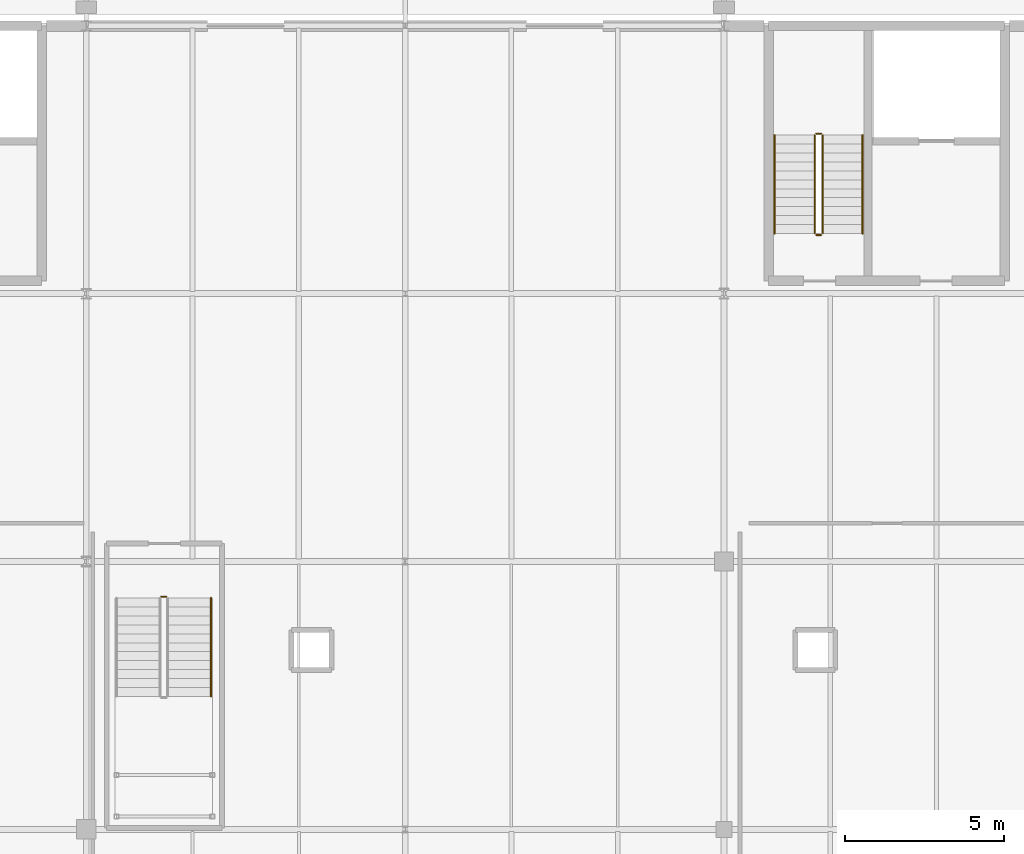
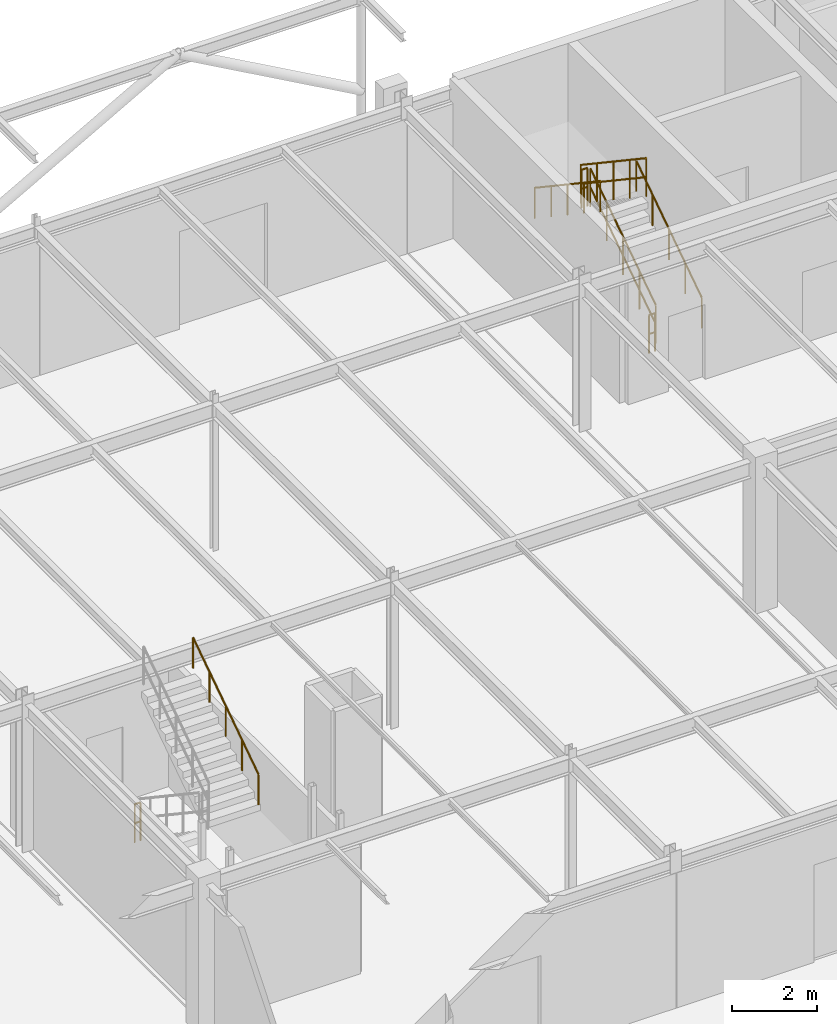
# One storey, part 111 of 119: 8 railings.
"""IFC4 building model written with IfcOpenShell, lengths in metres."""

from ifc_helpers import new_model, si_unit, derived_unit, direction, frame, origin, origin_2d_with_axis, place, context, subcontext, project, spatial, circle, extrude, material, layer, layer_set, type_object, element, save


model = new_model("IFC4")

# Units and contexts
model_context = context("Model", 3, precision=1e-05, world=origin(), true_north=direction((0.0, 1.0)))
body_context = subcontext(model_context, "Body", "Model", "MODEL_VIEW")
ifc_project = project(units=[si_unit("LENGTHUNIT", "METRE"), si_unit("AREAUNIT", "SQUARE_METRE"), si_unit("VOLUMEUNIT", "CUBIC_METRE"), si_unit("PLANEANGLEUNIT", "RADIAN"), si_unit("MASSUNIT", "GRAM", prefix="KILO"), derived_unit("THERMALTRANSMITTANCEUNIT", [(si_unit("POWERUNIT", "WATT"), 1), (si_unit("LENGTHUNIT", "METRE"), -2), (si_unit("THERMODYNAMICTEMPERATUREUNIT", "KELVIN"), -1)])], contexts=[model_context])

# Site, building, storey
site_placement = place(None, origin())
site = spatial("IfcSite", under=ifc_project, at=site_placement, CompositionType="ELEMENT")
building_placement = place(site_placement, origin())
building = spatial("IfcBuilding", under=site, at=building_placement, Name="Cinnabar Yard Market Hall", CompositionType="ELEMENT")
storey_placement = place(building_placement, origin())
storey = spatial("IfcBuildingStorey", under=building, at=storey_placement, Name="L00", CompositionType="ELEMENT", Elevation=0.0)

# Railings
ifc_material_1 = material(Name="Laminated glass and bronze handrail", Category="glass")
ifc_layer_1 = layer(ifc_material_1, 0.070068359375)
ifc_layer_set_1 = layer_set([ifc_layer_1], Name="Laminated glass and bronze handrail")
railing_type_1 = type_object("IfcRailingType", Name="RL-G01", PredefinedType="BALUSTRADE", material=ifc_layer_set_1)
railing_1_placement = place(storey_placement, frame((108.35009765625, 120.10009765625, 0.0)))
element("IfcRailing", 1, at=railing_1_placement, inside=storey, type_object=railing_type_1, Name="L00 ST-F4 stair guard 4", PredefinedType="BALUSTRADE", context=body_context, shape_type="SweptSolid", body=[
    extrude(circle(Radius=0.02392578125, at=origin_2d_with_axis()), frame((0.0, 0.0, 1.09619140625), z_axis=(1.0, 0.0, 0.0), x_axis=(0.0, 1.0, 0.0)), (0.0, 0.0, 1.0), 0.159912109375),
    extrude(circle(Radius=0.02392578125, at=origin_2d_with_axis()), frame((0.0, 0.0, 0.550048828125), z_axis=(1.0, 0.0, 0.0), x_axis=(0.0, 1.0, 0.0)), (0.0, 0.0, 1.0), 0.159912109375),
    extrude(circle(Radius=0.02099609375, at=origin_2d_with_axis()), origin(), (0.0, 0.0, 1.0), 1.072021484375),
    extrude(circle(Radius=0.02099609375, at=origin_2d_with_axis()), frame((0.159912109375, 0.0, 0.0)), (0.0, 0.0, 1.0), 1.072021484375),
])
ifc_material_2 = material(Name="Galvanised steel Grade 300 (300 MPa) guardrail", Category="steel")
ifc_layer_2 = layer(ifc_material_2, 0.06005859375)
ifc_layer_set_2 = layer_set([ifc_layer_2], Name="Galvanised steel Grade 300 (300 MPa) guardrail")
railing_type_2 = type_object("IfcRailingType", Name="RL-G03", PredefinedType="GUARDRAIL", material=ifc_layer_set_2)
railing_2_placement = place(storey_placement, frame((129.10009765625, 131.489990234375, 0.1875)))
element("IfcRailing", 2, at=railing_2_placement, inside=storey, type_object=railing_type_2, Name="L00 ST-C6 stair guard 1", PredefinedType="GUARDRAIL", context=body_context, shape_type="SweptSolid", body=[
    extrude(circle(Radius=0.02392578125, at=origin_2d_with_axis()), frame((0.0, 0.0, 1.09619140625), z_axis=(0.0, 0.830913701846, 0.55640131208), x_axis=(-1.0, 0.0, 0.0)), (0.0, 0.0, 1.0), 3.706787109375),
    extrude(circle(Radius=0.02392578125, at=origin_2d_with_axis()), frame((0.0, 0.0, 0.550048828125), z_axis=(0.0, 0.830913701846, 0.55640131208), x_axis=(-1.0, 0.0, 0.0)), (0.0, 0.0, 1.0), 3.706787109375),
    extrude(circle(Radius=0.02099609375, at=origin_2d_with_axis()), origin(), (0.0, 0.0, 1.0), 1.072021484375),
    extrude(circle(Radius=0.02099609375, at=origin_2d_with_axis()), frame((0.0, 0.77001953125, 0.515625)), (0.0, 0.0, 1.0), 1.072021484375),
    extrude(circle(Radius=0.02099609375, at=origin_2d_with_axis()), frame((0.0, 1.5400390625, 1.03125)), (0.0, 0.0, 1.0), 1.072021484375),
    extrude(circle(Radius=0.02099609375, at=origin_2d_with_axis()), frame((0.0, 2.31005859375, 1.546875)), (0.0, 0.0, 1.0), 1.072021484375),
    extrude(circle(Radius=0.02099609375, at=origin_2d_with_axis()), frame((0.0, 3.080078125, 2.0625)), (0.0, 0.0, 1.0), 1.072021484375),
])
railing_3_placement = place(storey_placement, frame((129.050048828125, 134.6201171875, 2.25)))
element("IfcRailing", 3, at=railing_3_placement, inside=storey, type_object=railing_type_2, Name="L00 ST-C6 stair guard 2", PredefinedType="GUARDRAIL", context=body_context, shape_type="SweptSolid", body=[
    extrude(circle(Radius=0.02392578125, at=origin_2d_with_axis()), frame((0.0, 0.0, 1.09619140625), z_axis=(-1.0, 0.0, 0.0), x_axis=(0.0, -1.0, 0.0)), (0.0, 0.0, 1.0), 0.16015625),
    extrude(circle(Radius=0.02392578125, at=origin_2d_with_axis()), frame((0.0, 0.0, 0.550048828125), z_axis=(-1.0, 0.0, 0.0), x_axis=(0.0, -1.0, 0.0)), (0.0, 0.0, 1.0), 0.16015625),
    extrude(circle(Radius=0.02099609375, at=origin_2d_with_axis()), origin(), (0.0, 0.0, 1.0), 1.072021484375),
    extrude(circle(Radius=0.02099609375, at=origin_2d_with_axis()), frame((-0.16015625, 0.0, 0.0)), (0.0, 0.0, 1.0), 1.072021484375),
])
railing_4_placement = place(storey_placement, frame((128.840087890625, 134.570068359375, 2.4375)))
element("IfcRailing", 4, at=railing_4_placement, inside=storey, type_object=railing_type_2, Name="L00 ST-C6 stair guard 3", PredefinedType="GUARDRAIL", context=body_context, shape_type="SweptSolid", body=[
    extrude(circle(Radius=0.02392578125, at=origin_2d_with_axis()), frame((0.0, 0.0, 1.09619140625), z_axis=(0.0, -0.830913701846, 0.55640131208), x_axis=(1.0, 0.0, 0.0)), (0.0, 0.0, 1.0), 3.706787109375),
    extrude(circle(Radius=0.02392578125, at=origin_2d_with_axis()), frame((0.0, 0.0, 0.550048828125), z_axis=(0.0, -0.830913701846, 0.55640131208), x_axis=(1.0, 0.0, 0.0)), (0.0, 0.0, 1.0), 3.706787109375),
    extrude(circle(Radius=0.02099609375, at=origin_2d_with_axis()), origin(), (0.0, 0.0, 1.0), 1.072021484375),
    extrude(circle(Radius=0.02099609375, at=origin_2d_with_axis()), frame((0.0, -0.77001953125, 0.515625)), (0.0, 0.0, 1.0), 1.072021484375),
    extrude(circle(Radius=0.02099609375, at=origin_2d_with_axis()), frame((0.0, -1.5400390625, 1.03125)), (0.0, 0.0, 1.0), 1.072021484375),
    extrude(circle(Radius=0.02099609375, at=origin_2d_with_axis()), frame((0.0, -2.31005859375, 1.546875)), (0.0, 0.0, 1.0), 1.072021484375),
    extrude(circle(Radius=0.02099609375, at=origin_2d_with_axis()), frame((0.0, -3.080078125, 2.0625)), (0.0, 0.0, 1.0), 1.072021484375),
])
railing_5_placement = place(storey_placement, frame((129.050048828125, 131.43994140625, 0.0)))
element("IfcRailing", 5, at=railing_5_placement, inside=storey, type_object=railing_type_2, Name="L00 ST-C6 stair guard 4", PredefinedType="GUARDRAIL", context=body_context, shape_type="SweptSolid", body=[
    extrude(circle(Radius=0.02392578125, at=origin_2d_with_axis()), frame((0.0, 0.0, 1.09619140625), z_axis=(-1.0, 0.0, 0.0), x_axis=(0.0, -1.0, 0.0)), (0.0, 0.0, 1.0), 0.16015625),
    extrude(circle(Radius=0.02392578125, at=origin_2d_with_axis()), frame((0.0, 0.0, 0.550048828125), z_axis=(-1.0, 0.0, 0.0), x_axis=(0.0, -1.0, 0.0)), (0.0, 0.0, 1.0), 0.16015625),
    extrude(circle(Radius=0.02099609375, at=origin_2d_with_axis()), origin(), (0.0, 0.0, 1.0), 1.072021484375),
    extrude(circle(Radius=0.02099609375, at=origin_2d_with_axis()), frame((-0.16015625, 0.0, 0.0)), (0.0, 0.0, 1.0), 1.072021484375),
])
ifc_material_3 = material(Name="Brushed stainless steel handrail", Category="steel")
ifc_layer_3 = layer(ifc_material_3, 0.050048828125)
ifc_layer_set_3 = layer_set([ifc_layer_3], Name="Brushed stainless steel handrail")
railing_type_3 = type_object("IfcRailingType", Name="RL-HR1", PredefinedType="HANDRAIL", material=ifc_layer_set_3)
railing_6_placement = place(storey_placement, frame((130.35009765625, 131.489990234375, 0.1875)))
element("IfcRailing", 6, at=railing_6_placement, inside=storey, type_object=railing_type_3, Name="L00 ST-C6 stair handrail 1", PredefinedType="HANDRAIL", context=body_context, shape_type="SweptSolid", body=[
    extrude(circle(Radius=0.02392578125, at=origin_2d_with_axis()), frame((0.0, 0.0, 0.8759765625), z_axis=(0.0, 0.830913701846, 0.55640131208), x_axis=(-1.0, 0.0, 0.0)), (0.0, 0.0, 1.0), 3.706787109375),
    extrude(circle(Radius=0.02099609375, at=origin_2d_with_axis()), origin(), (0.0, 0.0, 1.0), 0.851806640625),
    extrude(circle(Radius=0.02099609375, at=origin_2d_with_axis()), frame((0.0, 0.77001953125, 0.515625)), (0.0, 0.0, 1.0), 0.851806640625),
    extrude(circle(Radius=0.02099609375, at=origin_2d_with_axis()), frame((0.0, 1.5400390625, 1.03125)), (0.0, 0.0, 1.0), 0.851806640625),
    extrude(circle(Radius=0.02099609375, at=origin_2d_with_axis()), frame((0.0, 2.31005859375, 1.546875)), (0.0, 0.0, 1.0), 0.851806640625),
    extrude(circle(Radius=0.02099609375, at=origin_2d_with_axis()), frame((0.0, 3.080078125, 2.0625)), (0.0, 0.0, 1.0), 0.851806640625),
])
railing_7_placement = place(storey_placement, frame((127.590087890625, 134.570068359375, 2.4375)))
element("IfcRailing", 7, at=railing_7_placement, inside=storey, type_object=railing_type_3, Name="L00 ST-C6 stair handrail 2", PredefinedType="HANDRAIL", context=body_context, shape_type="SweptSolid", body=[
    extrude(circle(Radius=0.02392578125, at=origin_2d_with_axis()), frame((0.0, 0.0, 0.8759765625), z_axis=(0.0, -0.830913701846, 0.55640131208), x_axis=(1.0, 0.0, 0.0)), (0.0, 0.0, 1.0), 3.706787109375),
    extrude(circle(Radius=0.02099609375, at=origin_2d_with_axis()), origin(), (0.0, 0.0, 1.0), 0.851806640625),
    extrude(circle(Radius=0.02099609375, at=origin_2d_with_axis()), frame((0.0, -0.77001953125, 0.515625)), (0.0, 0.0, 1.0), 0.851806640625),
    extrude(circle(Radius=0.02099609375, at=origin_2d_with_axis()), frame((0.0, -1.5400390625, 1.03125)), (0.0, 0.0, 1.0), 0.851806640625),
    extrude(circle(Radius=0.02099609375, at=origin_2d_with_axis()), frame((0.0, -2.31005859375, 1.546875)), (0.0, 0.0, 1.0), 0.851806640625),
    extrude(circle(Radius=0.02099609375, at=origin_2d_with_axis()), frame((0.0, -3.080078125, 2.0625)), (0.0, 0.0, 1.0), 0.851806640625),
])
railing_8_placement = place(storey_placement, frame((109.909912109375, 116.969970703125, 2.4375)))
element("IfcRailing", 8, at=railing_8_placement, inside=storey, type_object=railing_type_3, Name="L00 ST-F4 stair handrail 2", PredefinedType="HANDRAIL", context=body_context, shape_type="SweptSolid", body=[
    extrude(circle(Radius=0.02392578125, at=origin_2d_with_axis()), frame((0.0, 0.0, 0.8759765625), z_axis=(0.0, 0.830913701846, 0.55640131208), x_axis=(-1.0, 0.0, 0.0)), (0.0, 0.0, 1.0), 3.706787109375),
    extrude(circle(Radius=0.02099609375, at=origin_2d_with_axis()), origin(), (0.0, 0.0, 1.0), 0.851806640625),
    extrude(circle(Radius=0.02099609375, at=origin_2d_with_axis()), frame((0.0, 0.77001953125, 0.515625)), (0.0, 0.0, 1.0), 0.851806640625),
    extrude(circle(Radius=0.02099609375, at=origin_2d_with_axis()), frame((0.0, 1.5400390625, 1.03125)), (0.0, 0.0, 1.0), 0.851806640625),
    extrude(circle(Radius=0.02099609375, at=origin_2d_with_axis()), frame((0.0, 2.31005859375, 1.546875)), (0.0, 0.0, 1.0), 0.851806640625),
    extrude(circle(Radius=0.02099609375, at=origin_2d_with_axis()), frame((0.0, 3.080078125, 2.0625)), (0.0, 0.0, 1.0), 0.851806640625),
])

save(model, "model.ifc")
